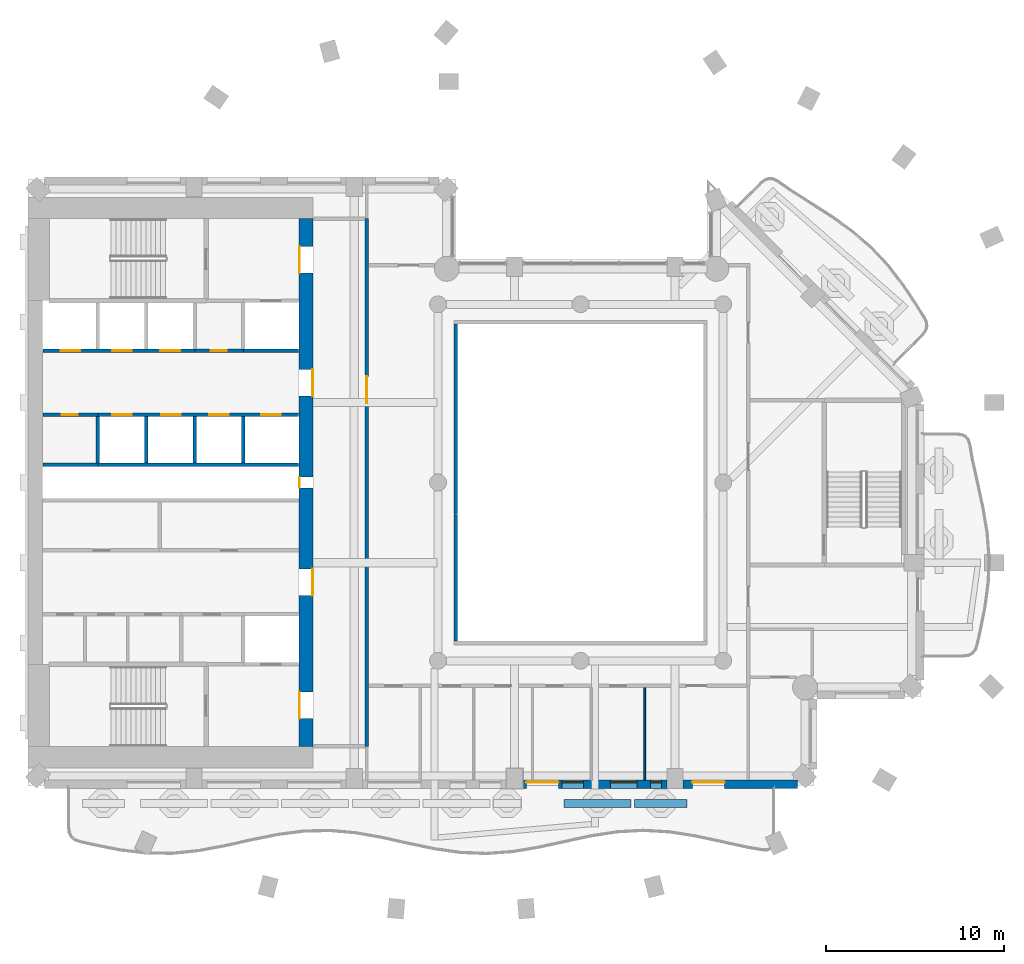
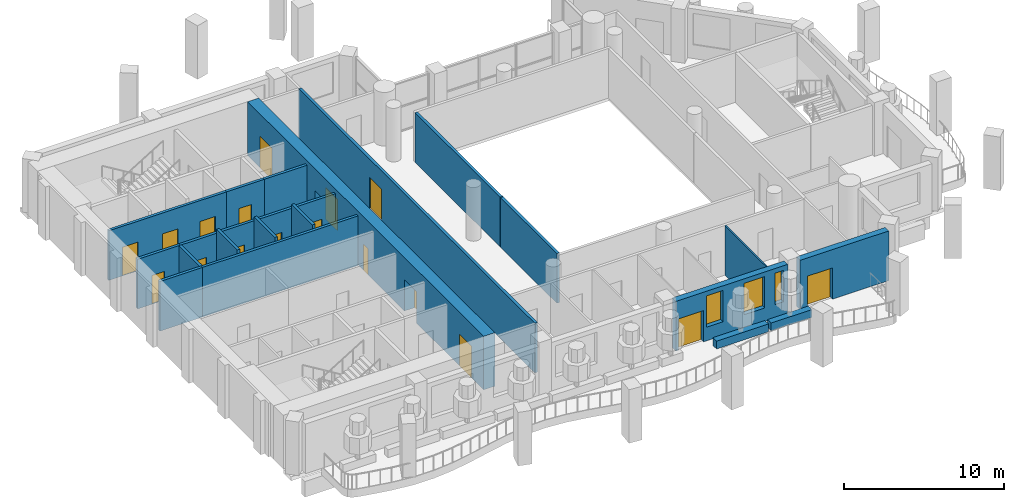
# One storey, part 5 of 15: 20 walls, 17 doors, 3 windows, 20 openings.
"""IFC4 building model written with IfcOpenShell, lengths in metres."""

import ifcopenshell
import ifcopenshell.guid

model = None  # the IFC model being written
_history = None  # IfcOwnerHistory: only IFC2X3 demands one
_inside = {}  # id of a spatial element -> (the spatial element, [elements in it])
_under = {}  # id of a project, library or spatial element -> (it, [spatial elements below it])
_declared = {}  # id of a project -> (the project, [libraries it declares])
_typed = {}  # id of a type object -> (the type object, [elements of that type])
_made_of = {}  # id of a material, layer set ... -> (it, [elements and type objects made of it])


def new_model(schema):
    """Start an empty IFC model of exactly this schema.

    Asked for "IFC4X3", IfcOpenShell would pick the latest addendum, in which some entities
    have other attributes; the version numbers below select the first issue.
    IFC2X3 requires an IfcOwnerHistory on every rooted entity: one is made here for all.
    """
    global model, _history
    if schema == "IFC4X3":
        model = ifcopenshell.file(schema_version=(4, 3, 0, 0))
    else:
        model = ifcopenshell.file(schema=schema)
    _inside.clear()
    _under.clear()
    _declared.clear()
    _typed.clear()
    _made_of.clear()
    _history = None
    if model.schema == "IFC2X3":
        org = make("IfcOrganization", Name="unknown")
        user = make(
            "IfcPersonAndOrganization",
            ThePerson=make("IfcPerson", FamilyName="unknown"),
            TheOrganization=org,
        )
        app = make(
            "IfcApplication",
            ApplicationDeveloper=org,
            Version="unknown",
            ApplicationFullName="unknown",
            ApplicationIdentifier="unknown",
        )
        _history = make(
            "IfcOwnerHistory",
            OwningUser=user,
            OwningApplication=app,
            ChangeAction="ADDED",
            CreationDate=0,
        )
    return model


def make(cls, **values):
    """One entity of the class cls with the attributes given. An attribute that is None is left unset."""
    return model.create_entity(
        cls, **{name: value for name, value in values.items() if value is not None}
    )


def rooted(cls, **values):
    """An entity with a GlobalId (a new one), such as an element, a storey or a relation."""
    return make(cls, GlobalId=ifcopenshell.guid.new(), OwnerHistory=_history, **values)


def si_unit(unit_type, name, prefix=None):
    """IfcSIUnit, for example si_unit("LENGTHUNIT", "METRE", prefix="MILLI")."""
    return make("IfcSIUnit", UnitType=unit_type, Prefix=prefix, Name=name)


def assignment(units):
    """IfcUnitAssignment: the units of a project."""
    return None if units is None else make("IfcUnitAssignment", Units=units)


def point(xyz):
    """IfcCartesianPoint."""
    return None if xyz is None else make("IfcCartesianPoint", Coordinates=xyz)


def direction(xyz):
    """IfcDirection."""
    return None if xyz is None else make("IfcDirection", DirectionRatios=xyz)


def frame(location, z_axis=None, x_axis=None):
    """IfcAxis2Placement3D, a coordinate frame: its origin and axes. An axis left out is left unset."""
    return make(
        "IfcAxis2Placement3D",
        Location=point(location),
        Axis=direction(z_axis),
        RefDirection=direction(x_axis),
    )


def frame_2d(location, x_axis=None):
    """IfcAxis2Placement2D, a coordinate frame in the plane: its origin and x axis."""
    return make(
        "IfcAxis2Placement2D", Location=point(location), RefDirection=direction(x_axis)
    )


def origin():
    """The frame at (0, 0, 0) with its axes left unset."""
    return frame((0.0, 0.0, 0.0))


def place(relative_to, where):
    """IfcLocalPlacement: puts the frame where relative to a parent placement (None: the world)."""
    return make(
        "IfcLocalPlacement", PlacementRelTo=relative_to, RelativePlacement=where
    )


def context(
    kind, dimensions, precision=None, world=None, true_north=None, identifier=None
):
    """IfcGeometricRepresentationContext, for example the 3D "Model" context."""
    return make(
        "IfcGeometricRepresentationContext",
        ContextIdentifier=identifier,
        ContextType=kind,
        CoordinateSpaceDimension=dimensions,
        Precision=precision,
        WorldCoordinateSystem=world,
        TrueNorth=true_north,
    )


def subcontext(parent, identifier, kind, view, scale=None):
    """IfcGeometricRepresentationSubContext, for example "Body" below "Model"."""
    return make(
        "IfcGeometricRepresentationSubContext",
        ContextIdentifier=identifier,
        ContextType=kind,
        ParentContext=parent,
        TargetScale=scale,
        TargetView=view,
    )


def project(units=None, contexts=None):
    """IfcProject with its units and contexts."""
    return rooted(
        "IfcProject",
        Name="project",
        RepresentationContexts=contexts,
        UnitsInContext=assignment(units),
    )


def spatial(cls, under=None, at=None, **own):
    """A site, building, storey or space (cls), placed at a placement, below another one or the project."""
    s = rooted(cls, ObjectPlacement=at, **own)
    if under is not None:
        _under.setdefault(under.id(), (under, []))[1].append(s)
    return s


def profile(cls, at=None, kind="AREA", **sizes):
    """A parametric profile (cls). Its sizes go by their IFC names, for example OverallWidth=200.0."""
    return make(cls, ProfileType=kind, Position=at, **sizes)


def rectangle(**sizes):
    """IfcRectangleProfileDef."""
    return profile("IfcRectangleProfileDef", **sizes)


def extrude(swept, where, along, depth):
    """IfcExtrudedAreaSolid: the profile swept, set in the frame where, extruded along a direction by depth."""
    return make(
        "IfcExtrudedAreaSolid",
        SweptArea=swept,
        Position=where,
        ExtrudedDirection=direction(along),
        Depth=depth,
    )


def shape(context_of_items, identifier, shape_type, items):
    """IfcShapeRepresentation: the items that make up one representation, for example the "Body"."""
    return make(
        "IfcShapeRepresentation",
        ContextOfItems=context_of_items,
        RepresentationIdentifier=identifier,
        RepresentationType=shape_type,
        Items=items,
    )


def material(Name=None, Category=None):
    """IfcMaterial."""
    return make("IfcMaterial", Name=Name, Category=Category)


def layer(
    of_material, thickness, ventilated=None, Name=None, Category=None, Priority=None
):
    """IfcMaterialLayer: one layer of a wall or slab, of a material (None: an air gap)."""
    return make(
        "IfcMaterialLayer",
        Material=of_material,
        LayerThickness=thickness,
        IsVentilated=ventilated,
        Name=Name,
        Category=Category,
        Priority=Priority,
    )


def layer_set(layers, Name=None):
    """IfcMaterialLayerSet."""
    return make("IfcMaterialLayerSet", MaterialLayers=layers, LayerSetName=Name)


def made_of(thing, what):
    """Note that an element or type object is made of a material, layer set ...; save() writes the relation."""
    if what is not None:
        _made_of.setdefault(what.id(), (what, []))[1].append(thing)
    return thing


def type_object(cls, material=None, **own):
    """A type object (cls), such as IfcWallType, which elements share."""
    return made_of(rooted(cls, **own), material)


def element(
    cls,
    number,
    at=None,
    inside=None,
    cuts=None,
    type_object=None,
    material=None,
    context=None,
    identifier="Body",
    shape_type=None,
    held_by="IfcProductDefinitionShape",
    body=None,
    shapes=None,
    **own,
):
    """One element of the class cls, such as IfcWall. Its Tag is "e" and its number.

    at: its placement. inside: the storey or other place that contains it. cuts: it is an
    opening in that element (IfcRelVoidsElement). A single representation is given by context,
    identifier, shape_type and body (its items); several are given by shapes. held_by: the class
    of the entity that holds the representations. save() writes the other relations.
    """
    e = rooted(cls, Tag="e%d" % number, ObjectPlacement=at, **own)
    if body is not None:
        shapes = [shape(context, identifier, shape_type, body)]
    if shapes is not None:
        e.Representation = make(held_by, Representations=shapes)
    if inside is not None:
        _inside.setdefault(inside.id(), (inside, []))[1].append(e)
    if cuts is not None:
        rooted(
            "IfcRelVoidsElement", RelatingBuildingElement=cuts, RelatedOpeningElement=e
        )
    if type_object is not None:
        _typed.setdefault(type_object.id(), (type_object, []))[1].append(e)
    return made_of(e, material)


def fill(opening, filler):
    """IfcRelFillsElement: the door or window that sits in an opening."""
    return rooted(
        "IfcRelFillsElement",
        RelatingOpeningElement=opening,
        RelatedBuildingElement=filler,
    )


def aggregate(whole, parts):
    """IfcRelAggregates: a whole, such as a stair, and the parts it consists of."""
    return rooted("IfcRelAggregates", RelatingObject=whole, RelatedObjects=parts)


def save(model, path):
    """Write the relations noted so far, then the file.

    IfcRelAggregates (storeys below a building ...), IfcRelContainedInSpatialStructure (elements
    in a storey), IfcRelDefinesByType, IfcRelAssociatesMaterial and IfcRelDeclares: one each for
    every whole, place, type object, material and project.
    """
    for whole, parts in _under.values():
        aggregate(whole, parts)
    for where, things in _inside.values():
        rooted(
            "IfcRelContainedInSpatialStructure",
            RelatedElements=things,
            RelatingStructure=where,
        )
    for kind, things in _typed.values():
        rooted("IfcRelDefinesByType", RelatedObjects=things, RelatingType=kind)
    for what, things in _made_of.values():
        rooted("IfcRelAssociatesMaterial", RelatedObjects=things, RelatingMaterial=what)
    for by, libraries in _declared.values():
        rooted("IfcRelDeclares", RelatingContext=by, RelatedDefinitions=libraries)
    model.write(path)


model = new_model("IFC4")

# Units and contexts
model_context = context("Model", 3, precision=1e-05, world=origin(), true_north=direction((0.0, 1.0)))
body_context = subcontext(model_context, "Body", "Model", "MODEL_VIEW")
ifc_project = project(units=[si_unit("LENGTHUNIT", "METRE"), si_unit("AREAUNIT", "SQUARE_METRE"), si_unit("VOLUMEUNIT", "CUBIC_METRE"), si_unit("PLANEANGLEUNIT", "RADIAN"), si_unit("MASSUNIT", "GRAM", prefix="KILO")], contexts=[model_context])

# Site, building, storey
site_placement = place(None, origin())
site = spatial("IfcSite", under=ifc_project, at=site_placement, CompositionType="ELEMENT")
building_placement = place(site_placement, origin())
building = spatial("IfcBuilding", under=site, at=building_placement, Name="Cypress Arch Tower", CompositionType="ELEMENT")
storey_placement = place(building_placement, frame((0.0, 0.0, 164.60009765625)))
storey = spatial("IfcBuildingStorey", under=building, at=storey_placement, Name="L35", CompositionType="ELEMENT", Elevation=164.60009765625)

# Walls
ifc_material_1 = material(Name="Concrete C40/50, waterproofed", Category="concrete")
ifc_layer_1 = layer(ifc_material_1, 0.449951171875)
ifc_layer_set_1 = layer_set([ifc_layer_1], Name="Balcony planter wall PW450")
wall_type_1 = type_object("IfcWallType", Name="Balcony planter wall PW450", PredefinedType="SOLIDWALL", material=ifc_layer_set_1)
wall_1_placement = place(storey_placement, frame((0.070068359375, -18.0, 0.0), z_axis=(0.0, 0.0, 1.0), x_axis=(1.0, 0.0, 0.0)))
element("IfcWall", 1, at=wall_1_placement, inside=storey, type_object=wall_type_1, Name="Balcony planter wall L35-B01.8", PredefinedType="SOLIDWALL", context=body_context, shape_type="SweptSolid", body=[
    extrude(rectangle(XDim=3.760009765625, YDim=0.449951171875, at=frame_2d((1.8798828125, 0.0))), origin(), (0.0, 0.0, 1.0), 0.599853515625),
])
wall_2_placement = place(storey_placement, frame((4.030029296875, -18.0, 0.0), z_axis=(0.0, 0.0, 1.0), x_axis=(1.0, 0.0, 0.0)))
element("IfcWall", 2, at=wall_2_placement, inside=storey, type_object=wall_type_1, Name="Balcony planter wall L35-B01.9", PredefinedType="SOLIDWALL", context=body_context, shape_type="SweptSolid", body=[
    extrude(rectangle(XDim=2.945068359375, YDim=0.449951171875, at=frame_2d((1.47265625, 0.0))), origin(), (0.0, 0.0, 1.0), 0.599853515625),
])

# Wall, openings, door, windows
ifc_material_2 = material(Name="Brick (red buff blend)", Category="masonry")
ifc_layer_2 = layer(ifc_material_2, 0.449951171875)
ifc_layer_set_2 = layer_set([ifc_layer_2], Name="Brick pier and spandrel wall BW450")
wall_type_2 = type_object("IfcWallType", Name="Brick pier and spandrel wall BW450", PredefinedType="SOLIDWALL", material=ifc_layer_set_2)
wall_3_placement = place(storey_placement, frame((-2.25, -16.925048828125, 0.0), z_axis=(0.0, 0.0, 1.0), x_axis=(1.0, 0.0, 0.0)))
wall_3 = element("IfcWall", 3, at=wall_3_placement, inside=storey, type_object=wall_type_2, Name="Brick wall L35 B01.3", PredefinedType="SOLIDWALL", context=body_context, shape_type="SweptSolid", body=[
    extrude(rectangle(XDim=8.10009765625, YDim=0.449951171875, at=frame_2d((4.050048828125, 0.0))), origin(), (0.0, 0.0, 1.0), 3.7998046875),
])
opening_1_placement = place(wall_3_placement, frame((0.199951171875, 0.0, 0.0)))
opening_1 = element("IfcOpeningElement", 4, at=opening_1_placement, cuts=wall_3, Name="Opening D-L35-B01.3.1", PredefinedType="OPENING", context=body_context, shape_type="SweptSolid", body=[
    extrude(rectangle(XDim=1.800048828125, YDim=2.39990234375, at=frame_2d((0.89990234375, 1.199951171875))), frame((0.0, 0.23486328125, 0.0), z_axis=(0.0, -1.0, 0.0), x_axis=(1.0, 0.0, 0.0)), (0.0, 0.0, 1.0), 0.469970703125),
])
opening_2_placement = place(wall_3_placement, frame((2.199951171875, 0.0, 1.050048828125)))
opening_2 = element("IfcOpeningElement", 5, at=opening_2_placement, cuts=wall_3, Name="Opening W120OD", PredefinedType="OPENING", context=body_context, shape_type="SweptSolid", body=[
    extrude(rectangle(XDim=1.199951171875, YDim=2.39990234375, at=frame_2d((0.60009765625, 1.199951171875))), frame((0.0, 0.23486328125, 0.0), z_axis=(0.0, -1.0, 0.0), x_axis=(1.0, 0.0, 0.0)), (0.0, 0.0, 1.0), 0.469970703125),
])
opening_3_placement = place(wall_3_placement, frame((4.925537109375, 0.0, 1.050048828125)))
opening_3 = element("IfcOpeningElement", 6, at=opening_3_placement, cuts=wall_3, Name="Opening W150OD", PredefinedType="OPENING", context=body_context, shape_type="SweptSolid", body=[
    extrude(rectangle(XDim=1.5, YDim=2.39990234375, at=frame_2d((0.75, 1.199951171875))), frame((0.0, 0.23486328125, 0.0), z_axis=(0.0, -1.0, 0.0), x_axis=(1.0, 0.0, 0.0)), (0.0, 0.0, 1.0), 0.469970703125),
])
opening_4_placement = place(wall_3_placement, frame((7.175537109375, 0.0, 1.050048828125)))
opening_4 = element("IfcOpeningElement", 7, at=opening_4_placement, cuts=wall_3, Name="Opening W060OD", PredefinedType="OPENING", context=body_context, shape_type="SweptSolid", body=[
    extrude(rectangle(XDim=0.60009765625, YDim=2.39990234375, at=frame_2d((0.300048828125, 1.199951171875))), frame((0.0, 0.23486328125, 0.0), z_axis=(0.0, -1.0, 0.0), x_axis=(1.0, 0.0, 0.0)), (0.0, 0.0, 1.0), 0.469970703125),
])
ifc_material_3 = material(Name="Anodised aluminium, bronze finish, laminated low-emissivity double glazing, large-missile impact rated", Category="aluminium")
door_type_1 = type_object("IfcDoorType", Name="Balcony sliding door 1800x2400", OperationType="SLIDING_TO_LEFT", PredefinedType="DOOR", material=ifc_material_3)
door_1_placement = place(opening_1_placement, origin())
door_1 = element("IfcDoor", 8, at=door_1_placement, inside=storey, type_object=door_type_1, Name="Balcony door L35 B01.3.1", OperationType="SLIDING_TO_LEFT", OverallHeight=2.39990234375, OverallWidth=1.800048828125, PredefinedType="DOOR", context=body_context, shape_type="SweptSolid", body=[
    extrude(rectangle(XDim=1.800048828125, YDim=2.39990234375, at=frame_2d((0.89990234375, 1.199951171875))), frame((0.0, 0.1298828125, 0.0), z_axis=(0.0, -1.0, 0.0), x_axis=(1.0, 0.0, 0.0)), (0.0, 0.0, 1.0), 0.050048828125),
])
fill(opening_1, door_1)
ifc_material_4 = material(Name="Anodised aluminium, bronze finish, laminated low-emissivity double glazing, large-missile impact rated", Category="aluminium")
window_type_1 = type_object("IfcWindowType", Name="Window Office 1200x2400 debris-rated", PartitioningType="SINGLE_PANEL", PredefinedType="WINDOW", material=ifc_material_4)
window_1_placement = place(opening_2_placement, origin())
window_1 = element("IfcWindow", 9, at=window_1_placement, inside=storey, type_object=window_type_1, Name="Window L35 B01.3.1", OverallHeight=2.39990234375, OverallWidth=1.199951171875, PartitioningType="SINGLE_PANEL", PredefinedType="WINDOW", context=body_context, shape_type="SweptSolid", body=[
    extrude(rectangle(XDim=1.199951171875, YDim=2.39990234375, at=frame_2d((0.60009765625, 1.199951171875))), frame((0.0, 0.135009765625, 0.0), z_axis=(0.0, -1.0, 0.0), x_axis=(1.0, 0.0, 0.0)), (0.0, 0.0, 1.0), 0.06005859375),
])
fill(opening_2, window_1)
ifc_material_5 = material(Name="Anodised aluminium, bronze finish, laminated low-emissivity double glazing, large-missile impact rated", Category="aluminium")
window_type_2 = type_object("IfcWindowType", Name="Window Office 1500x2400 debris-rated", PartitioningType="SINGLE_PANEL", PredefinedType="WINDOW", material=ifc_material_5)
window_2_placement = place(opening_3_placement, origin())
window_2 = element("IfcWindow", 10, at=window_2_placement, inside=storey, type_object=window_type_2, Name="Window L35 B01.3.2", OverallHeight=2.39990234375, OverallWidth=1.5, PartitioningType="SINGLE_PANEL", PredefinedType="WINDOW", context=body_context, shape_type="SweptSolid", body=[
    extrude(rectangle(XDim=1.5, YDim=2.39990234375, at=frame_2d((0.75, 1.199951171875))), frame((0.0, 0.135009765625, 0.0), z_axis=(0.0, -1.0, 0.0), x_axis=(1.0, 0.0, 0.0)), (0.0, 0.0, 1.0), 0.06005859375),
])
fill(opening_3, window_2)
ifc_material_6 = material(Name="Anodised aluminium, bronze finish, laminated low-emissivity double glazing, large-missile impact rated", Category="aluminium")
window_type_3 = type_object("IfcWindowType", Name="Window Office 600x2400 debris-rated", PartitioningType="SINGLE_PANEL", PredefinedType="WINDOW", material=ifc_material_6)
window_3_placement = place(opening_4_placement, origin())
window_3 = element("IfcWindow", 11, at=window_3_placement, inside=storey, type_object=window_type_3, Name="Window L35 B01.3.2b", OverallHeight=2.39990234375, OverallWidth=0.60009765625, PartitioningType="SINGLE_PANEL", PredefinedType="WINDOW", context=body_context, shape_type="SweptSolid", body=[
    extrude(rectangle(XDim=0.60009765625, YDim=2.39990234375, at=frame_2d((0.300048828125, 1.199951171875))), frame((0.0, 0.135009765625, 0.0), z_axis=(0.0, -1.0, 0.0), x_axis=(1.0, 0.0, 0.0)), (0.0, 0.0, 1.0), 0.06005859375),
])
fill(opening_4, window_3)

# Wall, opening, door
wall_4_placement = place(storey_placement, frame((6.75, -16.925048828125, 0.0), z_axis=(0.0, 0.0, 1.0), x_axis=(1.0, 0.0, 0.0)))
wall_4 = element("IfcWall", 12, at=wall_4_placement, inside=storey, type_object=wall_type_2, Name="Brick wall L35 B01.4", PredefinedType="SOLIDWALL", context=body_context, shape_type="SweptSolid", body=[
    extrude(rectangle(XDim=6.41357421875, YDim=0.449951171875, at=frame_2d((3.206787109375, 0.0))), origin(), (0.0, 0.0, 1.0), 3.7998046875),
])
opening_5_placement = place(wall_4_placement, frame((0.52490234375, 0.0, 0.0)))
opening_5 = element("IfcOpeningElement", 13, at=opening_5_placement, cuts=wall_4, Name="Opening D-L35-B01.4.1", PredefinedType="OPENING", context=body_context, shape_type="SweptSolid", body=[
    extrude(rectangle(XDim=1.800048828125, YDim=2.39990234375, at=frame_2d((0.89990234375, 1.199951171875))), frame((0.0, 0.23486328125, 0.0), z_axis=(0.0, -1.0, 0.0), x_axis=(1.0, 0.0, 0.0)), (0.0, 0.0, 1.0), 0.469970703125),
])
door_2_placement = place(opening_5_placement, origin())
door_2 = element("IfcDoor", 14, at=door_2_placement, inside=storey, type_object=door_type_1, Name="Balcony door L35 B01.4.1", OperationType="SLIDING_TO_LEFT", OverallHeight=2.39990234375, OverallWidth=1.800048828125, PredefinedType="DOOR", context=body_context, shape_type="SweptSolid", body=[
    extrude(rectangle(XDim=1.800048828125, YDim=2.39990234375, at=frame_2d((0.89990234375, 1.199951171875))), frame((0.0, 0.1298828125, 0.0), z_axis=(0.0, -1.0, 0.0), x_axis=(1.0, 0.0, 0.0)), (0.0, 0.0, 1.0), 0.050048828125),
])
fill(opening_5, door_2)

# Wall, openings, doors
ifc_material_7 = material(Name="Concrete C70/85", Category="concrete")
ifc_layer_3 = layer(ifc_material_7, 0.800048828125)
ifc_layer_set_3 = layer_set([ifc_layer_3], Name="Core wall CW800 C70/85")
wall_type_3 = type_object("IfcWallType", Name="Core wall CW800 C70/85", PredefinedType="SHEAR", material=ifc_layer_set_3)
wall_5_placement = place(storey_placement, frame((-14.39990234375, -14.800048828125, 0.0), z_axis=(0.0, 0.0, 1.0), x_axis=(0.0, 1.0, 0.0)))
wall_5 = element("IfcWall", 15, at=wall_5_placement, inside=storey, type_object=wall_type_3, Name="Core wall", PredefinedType="SHEAR", context=body_context, shape_type="SweptSolid", body=[
    extrude(rectangle(XDim=29.60009765625, YDim=0.800048828125, at=frame_2d((14.800048828125, 0.0))), origin(), (0.0, 0.0, 1.0), 4.099853515625),
])
opening_6_placement = place(wall_5_placement, frame((1.550048828125, 0.0, 0.0)))
opening_6 = element("IfcOpeningElement", 16, at=opening_6_placement, cuts=wall_5, Name="Opening D07", PredefinedType="OPENING", context=body_context, shape_type="SweptSolid", body=[
    extrude(rectangle(XDim=1.5, YDim=2.39990234375, at=frame_2d((0.75, 1.199951171875))), frame((0.0, 0.409912109375, 0.0), z_axis=(0.0, -1.0, 0.0), x_axis=(1.0, 0.0, 0.0)), (0.0, 0.0, 1.0), 0.820068359375),
])
opening_7_placement = place(wall_5_placement, frame((26.550048828125, 0.0, 0.0)))
opening_7 = element("IfcOpeningElement", 17, at=opening_7_placement, cuts=wall_5, Name="Opening D07", PredefinedType="OPENING", context=body_context, shape_type="SweptSolid", body=[
    extrude(rectangle(XDim=1.5, YDim=2.39990234375, at=frame_2d((0.75, 1.199951171875))), frame((0.0, 0.409912109375, 0.0), z_axis=(0.0, -1.0, 0.0), x_axis=(1.0, 0.0, 0.0)), (0.0, 0.0, 1.0), 0.820068359375),
])
opening_8_placement = place(wall_5_placement, frame((8.449951171875, 0.0, 0.0)))
opening_8 = element("IfcOpeningElement", 18, at=opening_8_placement, cuts=wall_5, Name="Opening D07", PredefinedType="OPENING", context=body_context, shape_type="SweptSolid", body=[
    extrude(rectangle(XDim=1.5, YDim=2.39990234375, at=frame_2d((0.75, 1.199951171875))), frame((0.0, 0.409912109375, 0.0), z_axis=(0.0, -1.0, 0.0), x_axis=(1.0, 0.0, 0.0)), (0.0, 0.0, 1.0), 0.820068359375),
])
opening_9_placement = place(wall_5_placement, frame((19.64990234375, 0.0, 0.0)))
opening_9 = element("IfcOpeningElement", 19, at=opening_9_placement, cuts=wall_5, Name="Opening D07", PredefinedType="OPENING", context=body_context, shape_type="SweptSolid", body=[
    extrude(rectangle(XDim=1.5, YDim=2.39990234375, at=frame_2d((0.75, 1.199951171875))), frame((0.0, 0.409912109375, 0.0), z_axis=(0.0, -1.0, 0.0), x_axis=(1.0, 0.0, 0.0)), (0.0, 0.0, 1.0), 0.820068359375),
])
opening_10_placement = place(wall_5_placement, frame((14.5, 0.0, 0.0)))
opening_10 = element("IfcOpeningElement", 20, at=opening_10_placement, cuts=wall_5, Name="Opening D08", PredefinedType="OPENING", context=body_context, shape_type="SweptSolid", body=[
    extrude(rectangle(XDim=0.60009765625, YDim=2.0, at=frame_2d((0.300048828125, 1.0))), frame((0.0, 0.409912109375, 0.0), z_axis=(0.0, -1.0, 0.0), x_axis=(1.0, 0.0, 0.0)), (0.0, 0.0, 1.0), 0.820068359375),
])
ifc_material_8 = material(Name="Steel framed glazed door, fire resisting", Category="steel")
door_type_2 = type_object("IfcDoorType", Name="Lobby door D07 1500x2400", OperationType="DOUBLE_DOOR_SINGLE_SWING", PredefinedType="DOOR", material=ifc_material_8)
door_3_placement = place(opening_6_placement, origin())
door_3 = element("IfcDoor", 21, at=door_3_placement, inside=storey, type_object=door_type_2, Name="Lobby door", OperationType="DOUBLE_DOOR_SINGLE_SWING", OverallHeight=2.39990234375, OverallWidth=1.5, PredefinedType="DOOR", context=body_context, shape_type="SweptSolid", body=[
    extrude(rectangle(XDim=1.5, YDim=2.39990234375, at=frame_2d((0.75, 1.199951171875))), frame((0.0, 0.39501953125, 0.0), z_axis=(0.0, -1.0, 0.0), x_axis=(1.0, 0.0, 0.0)), (0.0, 0.0, 1.0), 0.050048828125),
])
fill(opening_6, door_3)
door_4_placement = place(opening_7_placement, origin())
door_4 = element("IfcDoor", 22, at=door_4_placement, inside=storey, type_object=door_type_2, Name="Lobby door", OperationType="DOUBLE_DOOR_SINGLE_SWING", OverallHeight=2.39990234375, OverallWidth=1.5, PredefinedType="DOOR", context=body_context, shape_type="SweptSolid", body=[
    extrude(rectangle(XDim=1.5, YDim=2.39990234375, at=frame_2d((0.75, 1.199951171875))), frame((0.0, 0.39501953125, 0.0), z_axis=(0.0, -1.0, 0.0), x_axis=(1.0, 0.0, 0.0)), (0.0, 0.0, 1.0), 0.050048828125),
])
fill(opening_7, door_4)
door_5_placement = place(opening_8_placement, origin())
door_5 = element("IfcDoor", 23, at=door_5_placement, inside=storey, type_object=door_type_2, Name="Lobby door", OperationType="DOUBLE_DOOR_SINGLE_SWING", OverallHeight=2.39990234375, OverallWidth=1.5, PredefinedType="DOOR", context=body_context, shape_type="SweptSolid", body=[
    extrude(rectangle(XDim=1.5, YDim=2.39990234375, at=frame_2d((0.75, 1.199951171875))), frame((0.0, -0.34521484375, 0.0), z_axis=(0.0, -1.0, 0.0), x_axis=(1.0, 0.0, 0.0)), (0.0, 0.0, 1.0), 0.050048828125),
])
fill(opening_8, door_5)
door_6_placement = place(opening_9_placement, origin())
door_6 = element("IfcDoor", 24, at=door_6_placement, inside=storey, type_object=door_type_2, Name="Lobby door", OperationType="DOUBLE_DOOR_SINGLE_SWING", OverallHeight=2.39990234375, OverallWidth=1.5, PredefinedType="DOOR", context=body_context, shape_type="SweptSolid", body=[
    extrude(rectangle(XDim=1.5, YDim=2.39990234375, at=frame_2d((0.75, 1.199951171875))), frame((0.0, -0.34521484375, 0.0), z_axis=(0.0, -1.0, 0.0), x_axis=(1.0, 0.0, 0.0)), (0.0, 0.0, 1.0), 0.050048828125),
])
fill(opening_9, door_6)
ifc_material_9 = material(Name="Steel access door, fire resisting", Category="steel")
door_type_3 = type_object("IfcDoorType", Name="Riser access door D08 600x2000", OperationType="SINGLE_SWING_LEFT", PredefinedType="DOOR", material=ifc_material_9)
door_7_placement = place(opening_10_placement, origin())
door_7 = element("IfcDoor", 25, at=door_7_placement, inside=storey, type_object=door_type_3, Name="Riser access door", OperationType="SINGLE_SWING_RIGHT", OverallHeight=2.0, OverallWidth=0.60009765625, PredefinedType="DOOR", context=body_context, shape_type="SweptSolid", body=[
    extrude(rectangle(XDim=0.60009765625, YDim=2.0, at=frame_2d((0.300048828125, 1.0))), frame((0.0, 0.39501953125, 0.0), z_axis=(0.0, -1.0, 0.0), x_axis=(1.0, 0.0, 0.0)), (0.0, 0.0, 1.0), 0.050048828125),
])
fill(opening_10, door_7)

# Wall, opening, door
ifc_material_10 = material(Name="Concrete blockwork, plastered, rated", Category="masonry")
ifc_layer_4 = layer(ifc_material_10, 0.199951171875)
ifc_layer_set_4 = layer_set([ifc_layer_4], Name="Corridor wall FW200")
wall_type_4 = type_object("IfcWallType", Name="Corridor wall FW200", PredefinedType="PARTITIONING", material=ifc_layer_set_4)
wall_6_placement = place(storey_placement, frame((-29.169921875, 3.800048828125, 0.0), z_axis=(0.0, 0.0, 1.0), x_axis=(1.0, 0.0, 0.0)))
wall_6 = element("IfcWall", 26, at=wall_6_placement, inside=storey, type_object=wall_type_4, Name="Corridor wall", PredefinedType="PARTITIONING", context=body_context, shape_type="SweptSolid", body=[
    extrude(rectangle(XDim=3.08984375, YDim=0.199951171875, at=frame_2d((1.544921875, 0.0))), origin(), (0.0, 0.0, 1.0), 3.7998046875),
])
opening_11_placement = place(wall_6_placement, frame((1.050048828125, 0.0, 0.0)))
opening_11 = element("IfcOpeningElement", 27, at=opening_11_placement, cuts=wall_6, Name="Opening D05", PredefinedType="OPENING", context=body_context, shape_type="SweptSolid", body=[
    extrude(rectangle(XDim=0.89990234375, YDim=2.199951171875, at=frame_2d((0.449951171875, 1.10009765625))), frame((0.0, 0.10986328125, 0.0), z_axis=(0.0, -1.0, 0.0), x_axis=(1.0, 0.0, 0.0)), (0.0, 0.0, 1.0), 0.219970703125),
])
ifc_material_11 = material(Name="Timber flush door", Category="wood")
door_type_4 = type_object("IfcDoorType", Name="Service door D05 900x2200", OperationType="SINGLE_SWING_LEFT", PredefinedType="DOOR", material=ifc_material_11)
door_8_placement = place(opening_11_placement, origin())
door_8 = element("IfcDoor", 28, at=door_8_placement, inside=storey, type_object=door_type_4, Name="Service door", OperationType="SINGLE_SWING_LEFT", OverallHeight=2.199951171875, OverallWidth=0.89990234375, PredefinedType="DOOR", context=body_context, shape_type="SweptSolid", body=[
    extrude(rectangle(XDim=0.89990234375, YDim=2.199951171875, at=frame_2d((0.449951171875, 1.10009765625))), frame((0.0, 0.02490234375, 0.0), z_axis=(0.0, -1.0, 0.0), x_axis=(1.0, 0.0, 0.0)), (0.0, 0.0, 1.0), 0.050048828125),
])
fill(opening_11, door_8)

wall_7_placement = place(storey_placement, frame((-20.639892578125, 7.39990234375, 0.0), z_axis=(0.0, 0.0, 1.0), x_axis=(1.0, 0.0, 0.0)))
wall_7 = element("IfcWall", 29, at=wall_7_placement, inside=storey, type_object=wall_type_4, Name="Corridor wall", PredefinedType="PARTITIONING", context=body_context, shape_type="SweptSolid", body=[
    extrude(rectangle(XDim=2.719970703125, YDim=0.199951171875, at=frame_2d((1.35986328125, 0.0))), origin(), (0.0, 0.0, 1.0), 3.7998046875),
])
opening_12_placement = place(wall_7_placement, frame((0.89990234375, 0.0, 0.0)))
opening_12 = element("IfcOpeningElement", 30, at=opening_12_placement, cuts=wall_7, Name="Opening D05", PredefinedType="OPENING", context=body_context, shape_type="SweptSolid", body=[
    extrude(rectangle(XDim=0.89990234375, YDim=2.199951171875, at=frame_2d((0.449951171875, 1.10009765625))), frame((0.0, 0.10986328125, 0.0), z_axis=(0.0, -1.0, 0.0), x_axis=(1.0, 0.0, 0.0)), (0.0, 0.0, 1.0), 0.219970703125),
])
door_9_placement = place(opening_12_placement, origin())
door_9 = element("IfcDoor", 31, at=door_9_placement, inside=storey, type_object=door_type_4, Name="Service door", OperationType="SINGLE_SWING_LEFT", OverallHeight=2.199951171875, OverallWidth=0.89990234375, PredefinedType="DOOR", context=body_context, shape_type="SweptSolid", body=[
    extrude(rectangle(XDim=0.89990234375, YDim=2.199951171875, at=frame_2d((0.449951171875, 1.10009765625))), frame((0.0, 0.02490234375, 0.0), z_axis=(0.0, -1.0, 0.0), x_axis=(1.0, 0.0, 0.0)), (0.0, 0.0, 1.0), 0.050048828125),
])
fill(opening_12, door_9)

wall_8_placement = place(storey_placement, frame((-11.0, -14.800048828125, 0.0), z_axis=(0.0, 0.0, 1.0), x_axis=(0.0, 1.0, 0.0)))
wall_8 = element("IfcWall", 32, at=wall_8_placement, inside=storey, type_object=wall_type_4, Name="Corridor wall", PredefinedType="PARTITIONING", context=body_context, shape_type="SweptSolid", body=[
    extrude(rectangle(XDim=29.60009765625, YDim=0.199951171875, at=frame_2d((14.800048828125, 0.0))), origin(), (0.0, 0.0, 1.0), 3.7998046875),
])
opening_13_placement = place(wall_8_placement, frame((19.25, 0.0, 0.0)))
opening_13 = element("IfcOpeningElement", 33, at=opening_13_placement, cuts=wall_8, Name="Opening D07", PredefinedType="OPENING", context=body_context, shape_type="SweptSolid", body=[
    extrude(rectangle(XDim=1.5, YDim=2.39990234375, at=frame_2d((0.75, 1.199951171875))), frame((0.0, 0.10986328125, 0.0), z_axis=(0.0, -1.0, 0.0), x_axis=(1.0, 0.0, 0.0)), (0.0, 0.0, 1.0), 0.219970703125),
])
door_10_placement = place(opening_13_placement, origin())
door_10 = element("IfcDoor", 34, at=door_10_placement, inside=storey, type_object=door_type_2, Name="Lobby door", OperationType="DOUBLE_DOOR_SINGLE_SWING", OverallHeight=2.39990234375, OverallWidth=1.5, PredefinedType="DOOR", context=body_context, shape_type="SweptSolid", body=[
    extrude(rectangle(XDim=1.5, YDim=2.39990234375, at=frame_2d((0.75, 1.199951171875))), frame((0.0, 0.02490234375, 0.0), z_axis=(0.0, -1.0, 0.0), x_axis=(1.0, 0.0, 0.0)), (0.0, 0.0, 1.0), 0.050048828125),
])
fill(opening_13, door_10)

# Walls
wall_9_placement = place(storey_placement, frame((-6.0, -8.89990234375, 0.0), z_axis=(0.0, 0.0, 1.0), x_axis=(0.0, 1.0, 0.0)))
element("IfcWall", 35, at=wall_9_placement, inside=storey, type_object=wall_type_4, Name="Corridor wall", PredefinedType="PARTITIONING", context=body_context, shape_type="SweptSolid", body=[
    extrude(rectangle(XDim=7.079833984375, YDim=0.199951171875, at=frame_2d((3.5400390625, 0.0))), origin(), (0.0, 0.0, 1.0), 3.7998046875),
])
wall_10_placement = place(storey_placement, frame((-6.0, -1.780029296875, 0.0), z_axis=(0.0, 0.0, 1.0), x_axis=(0.0, 1.0, 0.0)))
element("IfcWall", 36, at=wall_10_placement, inside=storey, type_object=wall_type_4, Name="Corridor wall", PredefinedType="PARTITIONING", context=body_context, shape_type="SweptSolid", body=[
    extrude(rectangle(XDim=10.679931640625, YDim=0.199951171875, at=frame_2d((5.33984375, 0.0))), origin(), (0.0, 0.0, 1.0), 3.7998046875),
])
ifc_material_12 = material(Name="Reinforced blockwork, plastered, rated", Category="masonry")
ifc_layer_5 = layer(ifc_material_12, 0.199951171875)
ifc_layer_set_5 = layer_set([ifc_layer_5], Name="Plant and riser wall PL200")
wall_type_5 = type_object("IfcWallType", Name="Plant and riser wall PL200", PredefinedType="PARTITIONING", material=ifc_layer_set_5)
wall_11_placement = place(storey_placement, frame((-29.169921875, 1.0, 0.0), z_axis=(0.0, 0.0, 1.0), x_axis=(1.0, 0.0, 0.0)))
element("IfcWall", 37, at=wall_11_placement, inside=storey, type_object=wall_type_5, Name="Plant and riser wall", PredefinedType="PARTITIONING", context=body_context, shape_type="SweptSolid", body=[
    extrude(rectangle(XDim=3.08984375, YDim=0.199951171875, at=frame_2d((1.544921875, 0.0))), origin(), (0.0, 0.0, 1.0), 3.7998046875),
])

# Wall, openings, doors
ifc_material_13 = material(Name="Concrete C50/60", Category="concrete")
ifc_layer_6 = layer(ifc_material_13, 0.199951171875)
ifc_layer_set_6 = layer_set([ifc_layer_6], Name="Shaft wall SH200")
wall_type_6 = type_object("IfcWallType", Name="Shaft wall SH200", PredefinedType="SHEAR", material=ifc_layer_set_6)
wall_12_placement = place(storey_placement, frame((-29.169921875, 7.39990234375, 0.0), z_axis=(0.0, 0.0, 1.0), x_axis=(1.0, 0.0, 0.0)))
wall_12 = element("IfcWall", 38, at=wall_12_placement, inside=storey, type_object=wall_type_6, Name="Shaft wall", PredefinedType="SHEAR", context=body_context, shape_type="SweptSolid", body=[
    extrude(rectangle(XDim=8.530029296875, YDim=0.199951171875, at=frame_2d((4.26513671875, 0.0))), origin(), (0.0, 0.0, 1.0), 3.7998046875),
])
opening_14_placement = place(wall_12_placement, frame((1.0, 0.0, 0.0)))
opening_14 = element("IfcOpeningElement", 39, at=opening_14_placement, cuts=wall_12, Name="Opening LD-HR5", PredefinedType="OPENING", context=body_context, shape_type="SweptSolid", body=[
    extrude(rectangle(XDim=1.10009765625, YDim=2.199951171875, at=frame_2d((0.550048828125, 1.10009765625))), frame((0.0, 0.10986328125, 0.0), z_axis=(0.0, -1.0, 0.0), x_axis=(1.0, 0.0, 0.0)), (0.0, 0.0, 1.0), 0.219970703125),
])
opening_15_placement = place(wall_12_placement, frame((3.89990234375, 0.0, 0.0)))
opening_15 = element("IfcOpeningElement", 40, at=opening_15_placement, cuts=wall_12, Name="Opening LD-HR6", PredefinedType="OPENING", context=body_context, shape_type="SweptSolid", body=[
    extrude(rectangle(XDim=1.10009765625, YDim=2.199951171875, at=frame_2d((0.550048828125, 1.10009765625))), frame((0.0, 0.10986328125, 0.0), z_axis=(0.0, -1.0, 0.0), x_axis=(1.0, 0.0, 0.0)), (0.0, 0.0, 1.0), 0.219970703125),
])
opening_16_placement = place(wall_12_placement, frame((6.60009765625, 0.0, 0.0)))
opening_16 = element("IfcOpeningElement", 41, at=opening_16_placement, cuts=wall_12, Name="Opening LD-HR7", PredefinedType="OPENING", context=body_context, shape_type="SweptSolid", body=[
    extrude(rectangle(XDim=1.10009765625, YDim=2.199951171875, at=frame_2d((0.550048828125, 1.10009765625))), frame((0.0, 0.10986328125, 0.0), z_axis=(0.0, -1.0, 0.0), x_axis=(1.0, 0.0, 0.0)), (0.0, 0.0, 1.0), 0.219970703125),
])
ifc_material_14 = material(Name="Stainless steel centre-opening landing door, rated", Category="steel")
door_type_5 = type_object("IfcDoorType", Name="Lift landing door LD 1100x2200", OperationType="DOUBLE_DOOR_SLIDING", PredefinedType="DOOR", material=ifc_material_14)
door_11_placement = place(opening_14_placement, origin())
door_11 = element("IfcDoor", 42, at=door_11_placement, inside=storey, type_object=door_type_5, Name="Lift landing doors HR5", OperationType="DOUBLE_DOOR_SLIDING", OverallHeight=2.199951171875, OverallWidth=1.10009765625, PredefinedType="DOOR", context=body_context, shape_type="SweptSolid", body=[
    extrude(rectangle(XDim=1.10009765625, YDim=2.199951171875, at=frame_2d((0.550048828125, 1.10009765625))), frame((0.0, 0.02490234375, 0.0), z_axis=(0.0, -1.0, 0.0), x_axis=(1.0, 0.0, 0.0)), (0.0, 0.0, 1.0), 0.050048828125),
])
fill(opening_14, door_11)
door_12_placement = place(opening_15_placement, origin())
door_12 = element("IfcDoor", 43, at=door_12_placement, inside=storey, type_object=door_type_5, Name="Lift landing doors HR6", OperationType="DOUBLE_DOOR_SLIDING", OverallHeight=2.199951171875, OverallWidth=1.10009765625, PredefinedType="DOOR", context=body_context, shape_type="SweptSolid", body=[
    extrude(rectangle(XDim=1.10009765625, YDim=2.199951171875, at=frame_2d((0.550048828125, 1.10009765625))), frame((0.0, 0.02490234375, 0.0), z_axis=(0.0, -1.0, 0.0), x_axis=(1.0, 0.0, 0.0)), (0.0, 0.0, 1.0), 0.050048828125),
])
fill(opening_15, door_12)
door_13_placement = place(opening_16_placement, origin())
door_13 = element("IfcDoor", 44, at=door_13_placement, inside=storey, type_object=door_type_5, Name="Lift landing doors HR7", OperationType="DOUBLE_DOOR_SLIDING", OverallHeight=2.199951171875, OverallWidth=1.10009765625, PredefinedType="DOOR", context=body_context, shape_type="SweptSolid", body=[
    extrude(rectangle(XDim=1.10009765625, YDim=2.199951171875, at=frame_2d((0.550048828125, 1.10009765625))), frame((0.0, 0.02490234375, 0.0), z_axis=(0.0, -1.0, 0.0), x_axis=(1.0, 0.0, 0.0)), (0.0, 0.0, 1.0), 0.050048828125),
])
fill(opening_16, door_13)

# Walls
wall_13_placement = place(storey_placement, frame((-26.080078125, 1.10009765625, 0.0), z_axis=(0.0, 0.0, 1.0), x_axis=(0.0, 1.0, 0.0)))
element("IfcWall", 45, at=wall_13_placement, inside=storey, type_object=wall_type_6, Name="Shaft wall", PredefinedType="SHEAR", context=body_context, shape_type="SweptSolid", body=[
    extrude(rectangle(XDim=2.599853515625, YDim=0.199951171875, at=frame_2d((1.2998046875, 0.0))), origin(), (0.0, 0.0, 1.0), 3.7998046875),
])
wall_14_placement = place(storey_placement, frame((-26.080078125, 1.0, 0.0), z_axis=(0.0, 0.0, 1.0), x_axis=(1.0, 0.0, 0.0)))
element("IfcWall", 46, at=wall_14_placement, inside=storey, type_object=wall_type_6, Name="Shaft wall", PredefinedType="SHEAR", context=body_context, shape_type="SweptSolid", body=[
    extrude(rectangle(XDim=11.25, YDim=0.199951171875, at=frame_2d((5.625, 0.0))), origin(), (0.0, 0.0, 1.0), 3.7998046875),
])

# Wall, openings, doors
wall_15_placement = place(storey_placement, frame((-26.080078125, 3.800048828125, 0.0), z_axis=(0.0, 0.0, 1.0), x_axis=(1.0, 0.0, 0.0)))
wall_15 = element("IfcWall", 47, at=wall_15_placement, inside=storey, type_object=wall_type_6, Name="Shaft wall", PredefinedType="SHEAR", context=body_context, shape_type="SweptSolid", body=[
    extrude(rectangle(XDim=11.25, YDim=0.199951171875, at=frame_2d((5.625, 0.0))), origin(), (0.0, 0.0, 1.0), 3.7998046875),
])
opening_17_placement = place(wall_15_placement, frame((0.800048828125, 0.0, 0.0)))
opening_17 = element("IfcOpeningElement", 48, at=opening_17_placement, cuts=wall_15, Name="Opening LD-HR1", PredefinedType="OPENING", context=body_context, shape_type="SweptSolid", body=[
    extrude(rectangle(XDim=1.10009765625, YDim=2.199951171875, at=frame_2d((0.550048828125, 1.10009765625))), frame((0.0, 0.10986328125, 0.0), z_axis=(0.0, -1.0, 0.0), x_axis=(1.0, 0.0, 0.0)), (0.0, 0.0, 1.0), 0.219970703125),
])
opening_18_placement = place(wall_15_placement, frame((3.550048828125, 0.0, 0.0)))
opening_18 = element("IfcOpeningElement", 49, at=opening_18_placement, cuts=wall_15, Name="Opening LD-HR2", PredefinedType="OPENING", context=body_context, shape_type="SweptSolid", body=[
    extrude(rectangle(XDim=1.10009765625, YDim=2.199951171875, at=frame_2d((0.550048828125, 1.10009765625))), frame((0.0, 0.10986328125, 0.0), z_axis=(0.0, -1.0, 0.0), x_axis=(1.0, 0.0, 0.0)), (0.0, 0.0, 1.0), 0.219970703125),
])
opening_19_placement = place(wall_15_placement, frame((6.25, 0.0, 0.0)))
opening_19 = element("IfcOpeningElement", 50, at=opening_19_placement, cuts=wall_15, Name="Opening LD-HR3", PredefinedType="OPENING", context=body_context, shape_type="SweptSolid", body=[
    extrude(rectangle(XDim=1.10009765625, YDim=2.199951171875, at=frame_2d((0.550048828125, 1.10009765625))), frame((0.0, 0.10986328125, 0.0), z_axis=(0.0, -1.0, 0.0), x_axis=(1.0, 0.0, 0.0)), (0.0, 0.0, 1.0), 0.219970703125),
])
opening_20_placement = place(wall_15_placement, frame((9.14990234375, 0.0, 0.0)))
opening_20 = element("IfcOpeningElement", 51, at=opening_20_placement, cuts=wall_15, Name="Opening LD-HR4", PredefinedType="OPENING", context=body_context, shape_type="SweptSolid", body=[
    extrude(rectangle(XDim=1.10009765625, YDim=2.199951171875, at=frame_2d((0.550048828125, 1.10009765625))), frame((0.0, 0.10986328125, 0.0), z_axis=(0.0, -1.0, 0.0), x_axis=(1.0, 0.0, 0.0)), (0.0, 0.0, 1.0), 0.219970703125),
])
door_14_placement = place(opening_17_placement, origin())
door_14 = element("IfcDoor", 52, at=door_14_placement, inside=storey, type_object=door_type_5, Name="Lift landing doors HR1", OperationType="DOUBLE_DOOR_SLIDING", OverallHeight=2.199951171875, OverallWidth=1.10009765625, PredefinedType="DOOR", context=body_context, shape_type="SweptSolid", body=[
    extrude(rectangle(XDim=1.10009765625, YDim=2.199951171875, at=frame_2d((0.550048828125, 1.10009765625))), frame((0.0, 0.02490234375, 0.0), z_axis=(0.0, -1.0, 0.0), x_axis=(1.0, 0.0, 0.0)), (0.0, 0.0, 1.0), 0.050048828125),
])
fill(opening_17, door_14)
door_15_placement = place(opening_18_placement, origin())
door_15 = element("IfcDoor", 53, at=door_15_placement, inside=storey, type_object=door_type_5, Name="Lift landing doors HR2", OperationType="DOUBLE_DOOR_SLIDING", OverallHeight=2.199951171875, OverallWidth=1.10009765625, PredefinedType="DOOR", context=body_context, shape_type="SweptSolid", body=[
    extrude(rectangle(XDim=1.10009765625, YDim=2.199951171875, at=frame_2d((0.550048828125, 1.10009765625))), frame((0.0, 0.02490234375, 0.0), z_axis=(0.0, -1.0, 0.0), x_axis=(1.0, 0.0, 0.0)), (0.0, 0.0, 1.0), 0.050048828125),
])
fill(opening_18, door_15)
door_16_placement = place(opening_19_placement, origin())
door_16 = element("IfcDoor", 54, at=door_16_placement, inside=storey, type_object=door_type_5, Name="Lift landing doors HR3", OperationType="DOUBLE_DOOR_SLIDING", OverallHeight=2.199951171875, OverallWidth=1.10009765625, PredefinedType="DOOR", context=body_context, shape_type="SweptSolid", body=[
    extrude(rectangle(XDim=1.10009765625, YDim=2.199951171875, at=frame_2d((0.550048828125, 1.10009765625))), frame((0.0, 0.02490234375, 0.0), z_axis=(0.0, -1.0, 0.0), x_axis=(1.0, 0.0, 0.0)), (0.0, 0.0, 1.0), 0.050048828125),
])
fill(opening_19, door_16)
door_17_placement = place(opening_20_placement, origin())
door_17 = element("IfcDoor", 55, at=door_17_placement, inside=storey, type_object=door_type_5, Name="Lift landing doors HR4", OperationType="DOUBLE_DOOR_SLIDING", OverallHeight=2.199951171875, OverallWidth=1.10009765625, PredefinedType="DOOR", context=body_context, shape_type="SweptSolid", body=[
    extrude(rectangle(XDim=1.10009765625, YDim=2.199951171875, at=frame_2d((0.550048828125, 1.10009765625))), frame((0.0, 0.02490234375, 0.0), z_axis=(0.0, -1.0, 0.0), x_axis=(1.0, 0.0, 0.0)), (0.0, 0.0, 1.0), 0.050048828125),
])
fill(opening_20, door_17)

# Walls
for number, where, z_axis, x_axis, name in (
    (56, (-23.360107421875, 1.10009765625, 0.0), (0.0, 0.0, 1.0), (0.0, 1.0, 0.0), "Shaft wall"),
    (57, (-20.639892578125, 1.10009765625, 0.0), (0.0, 0.0, 1.0), (0.0, 1.0, 0.0), "Shaft wall"),
    (58, (-17.919921875, 1.10009765625, 0.0), (0.0, 0.0, 1.0), (0.0, 1.0, 0.0), "Shaft wall"),
):
    element("IfcWall", number, at=place(storey_placement, frame(where, z_axis=z_axis, x_axis=x_axis)), inside=storey, type_object=wall_type_6, Name=name, PredefinedType="SHEAR", context=body_context, shape_type="SweptSolid", body=[
        extrude(rectangle(XDim=2.599853515625, YDim=0.199951171875, at=frame_2d((1.2998046875, 0.0))), origin(), (0.0, 0.0, 1.0), 4.099853515625),
    ])
wall_16_placement = place(storey_placement, frame((-17.919921875, 7.39990234375, 0.0), z_axis=(0.0, 0.0, 1.0), x_axis=(1.0, 0.0, 0.0)))
element("IfcWall", 59, at=wall_16_placement, inside=storey, type_object=wall_type_6, Name="Shaft wall", PredefinedType="SHEAR", context=body_context, shape_type="SweptSolid", body=[
    extrude(rectangle(XDim=3.08984375, YDim=0.199951171875, at=frame_2d((1.544921875, 0.0))), origin(), (0.0, 0.0, 1.0), 3.7998046875),
])
ifc_material_15 = material(Name="Moisture resistant board on steel studs, tiled", Category="steel")
ifc_layer_7 = layer(ifc_material_15, 0.10009765625)
ifc_layer_set_7 = layer_set([ifc_layer_7], Name="Wet wall PW100")
wall_type_7 = type_object("IfcWallType", Name="Wet wall PW100", PredefinedType="PARTITIONING", material=ifc_layer_set_7)
wall_17_placement = place(storey_placement, frame((4.60107421875, -16.699951171875, 0.0), z_axis=(0.0, 0.0, 1.0), x_axis=(0.0, 1.0, 0.0)))
element("IfcWall", 60, at=wall_17_placement, inside=storey, type_object=wall_type_7, Name="Wet wall", PredefinedType="PARTITIONING", context=body_context, shape_type="SweptSolid", body=[
    extrude(rectangle(XDim=5.199951171875, YDim=0.10009765625, at=frame_2d((2.60009765625, 0.0))), origin(), (0.0, 0.0, 1.0), 3.7998046875),
])

save(model, "model.ifc")
